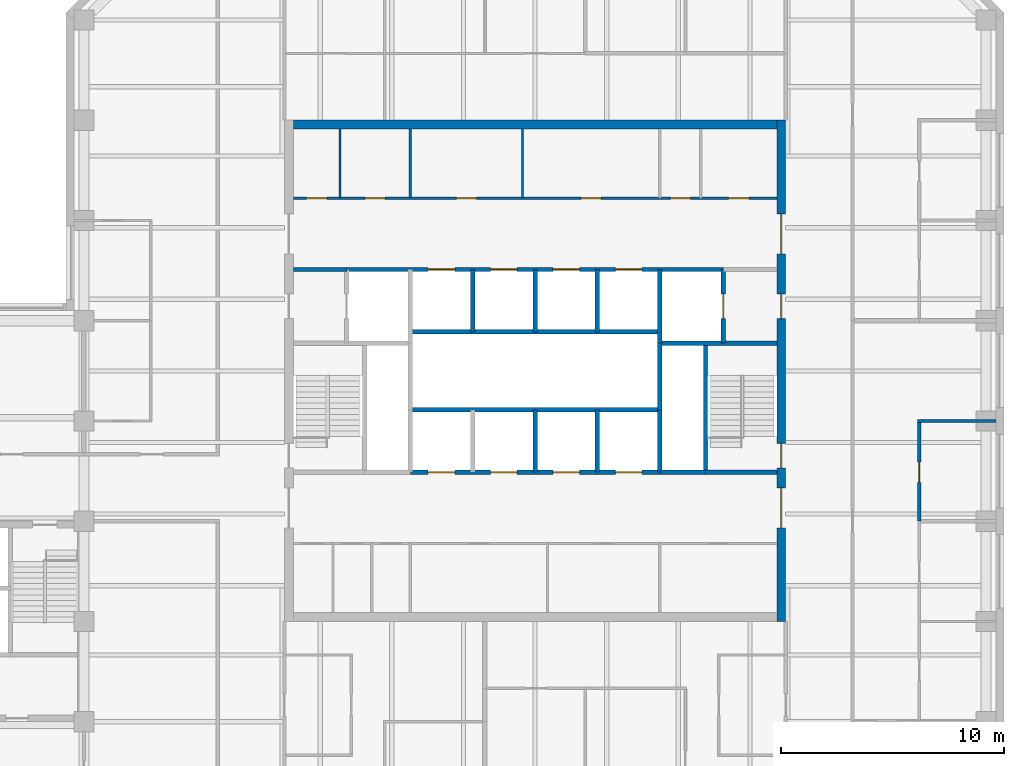
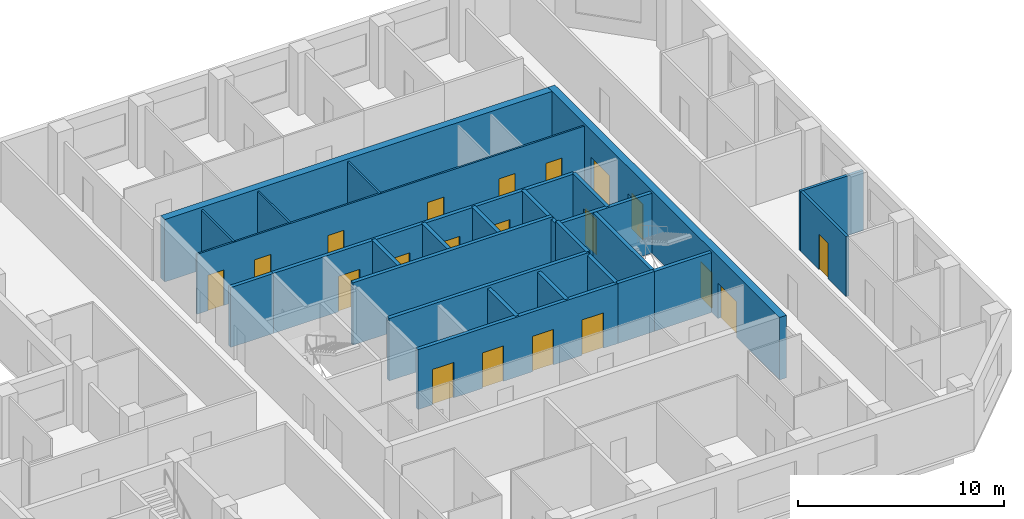
# One storey, part 6 of 9: 26 walls, 20 doors, 20 openings.
"""IFC4 building model written with IfcOpenShell, lengths in metres."""

from ifc_helpers import new_model, si_unit, direction, frame, frame_2d, origin, place, context, subcontext, project, spatial, rectangle, extrude, material, layer, layer_set, type_object, element, fill, save


model = new_model("IFC4")

# Units and contexts
model_context = context("Model", 3, precision=1e-05, world=origin(), true_north=direction((0.0, 1.0)))
body_context = subcontext(model_context, "Body", "Model", "MODEL_VIEW")
ifc_project = project(units=[si_unit("LENGTHUNIT", "METRE"), si_unit("AREAUNIT", "SQUARE_METRE"), si_unit("VOLUMEUNIT", "CUBIC_METRE"), si_unit("PLANEANGLEUNIT", "RADIAN"), si_unit("MASSUNIT", "GRAM", prefix="KILO")], contexts=[model_context])

# Site, building, storey
site_placement = place(None, origin())
site = spatial("IfcSite", under=ifc_project, at=site_placement, CompositionType="ELEMENT")
building_placement = place(site_placement, origin())
building = spatial("IfcBuilding", under=site, at=building_placement, Name="Quoin Convention Tower", CompositionType="ELEMENT")
storey_placement = place(building_placement, frame((0.0, 0.0, 237.800048828125)))
storey = spatial("IfcBuildingStorey", under=building, at=storey_placement, Name="L62", CompositionType="ELEMENT", Elevation=237.800048828125)

# Wall
ifc_material_1 = material(Name="Plasterboard")
ifc_layer_1 = layer(ifc_material_1, 0.012451171875, Name="Finish")
ifc_material_2 = material(Name="Steel stud framing", Category="steel")
ifc_layer_2 = layer(ifc_material_2, 0.125, Name="Structure")
ifc_layer_3 = layer(ifc_material_1, 0.012451171875, Name="Finish")
ifc_layer_set_1 = layer_set([ifc_layer_1, ifc_layer_2, ifc_layer_3], Name="Steel stud framing")
wall_type_1 = type_object("IfcWallType", Name="Acoustic partition 150", PredefinedType="PARTITIONING", material=ifc_layer_set_1)
wall_1_placement = place(storey_placement, frame((73.425048828125, 58.5, 0.0), z_axis=(0.0, 0.0, 1.0), x_axis=(1.0, 0.0, 0.0)))
element("IfcWall", 1, at=wall_1_placement, inside=storey, type_object=wall_type_1, Name="pw-L62-021", PredefinedType="PARTITIONING", context=body_context, shape_type="SweptSolid", body=[
    extrude(rectangle(XDim=3.52490234375, YDim=0.14990234375, at=frame_2d((1.762451171875, 0.0))), origin(), (0.0, 0.0, 1.0), 3.550048828125),
])

# Wall, opening, door
wall_2_placement = place(storey_placement, frame((73.5, 54.0, 0.0), z_axis=(0.0, 0.0, 1.0), x_axis=(0.0, 1.0, 0.0)))
wall_2 = element("IfcWall", 2, at=wall_2_placement, inside=storey, type_object=wall_type_1, Name="pw-L62-060", PredefinedType="PARTITIONING", context=body_context, shape_type="SweptSolid", body=[
    extrude(rectangle(XDim=4.425048828125, YDim=0.14990234375, at=frame_2d((2.21240234375, 0.0))), origin(), (0.0, 0.0, 1.0), 3.550048828125),
])
opening_1_placement = place(wall_2_placement, frame((1.75, 0.0, 0.0)))
opening_1 = element("IfcOpeningElement", 3, at=opening_1_placement, cuts=wall_2, Name="Opening DOH11-19", PredefinedType="OPENING", context=body_context, shape_type="SweptSolid", body=[
    extrude(rectangle(XDim=0.89990234375, YDim=2.10009765625, at=frame_2d((0.449951171875, 1.050048828125))), frame((0.0, 0.0849609375, 0.0), z_axis=(0.0, -1.0, 0.0), x_axis=(1.0, 0.0, 0.0)), (0.0, 0.0, 1.0), 0.169921875),
])
ifc_material_3 = material(Name="Steel door leaf", Category="steel")
door_type_1 = type_object("IfcDoorType", Name="Office door 900 x 2100", OperationType="SINGLE_SWING_RIGHT", PredefinedType="DOOR", material=ifc_material_3)
door_1_placement = place(opening_1_placement, origin())
door_1 = element("IfcDoor", 4, at=door_1_placement, inside=storey, type_object=door_type_1, Name="dr-L62-28", OperationType="SINGLE_SWING_RIGHT", OverallHeight=2.10009765625, OverallWidth=0.89990234375, PredefinedType="DOOR", context=body_context, shape_type="SweptSolid", body=[
    extrude(rectangle(XDim=0.89990234375, YDim=2.10009765625, at=frame_2d((0.449951171875, 1.050048828125))), frame((0.0, 0.02490234375, 0.0), z_axis=(0.0, -1.0, 0.0), x_axis=(1.0, 0.0, 0.0)), (0.0, 0.0, 1.0), 0.050048828125),
])
fill(opening_1, door_1)

# Wall, openings, doors
ifc_layer_4 = layer(ifc_material_1, 0.012451171875, Name="Finish")
ifc_layer_5 = layer(ifc_material_2, 0.074951171875, Name="Structure")
ifc_layer_6 = layer(ifc_material_1, 0.012451171875, Name="Finish")
ifc_layer_set_2 = layer_set([ifc_layer_4, ifc_layer_5, ifc_layer_6], Name="Steel stud framing")
wall_type_2 = type_object("IfcWallType", Name="Core partition wall", PredefinedType="PARTITIONING", material=ifc_layer_set_2)
wall_3_placement = place(storey_placement, frame((45.39990234375, 68.5, 0.0), z_axis=(0.0, 0.0, 1.0), x_axis=(1.0, 0.0, 0.0)))
wall_3 = element("IfcWall", 5, at=wall_3_placement, inside=storey, type_object=wall_type_2, Name="cr-C1-L62-h19000_400", PredefinedType="PARTITIONING", context=body_context, shape_type="SweptSolid", body=[
    extrude(rectangle(XDim=21.7001953125, YDim=0.10009765625, at=frame_2d((10.85009765625, 0.0))), origin(), (0.0, 0.0, 1.0), 3.550048828125),
])
opening_2_placement = place(wall_3_placement, frame((19.543701171875, 0.0, 0.0)))
opening_2 = element("IfcOpeningElement", 6, at=opening_2_placement, cuts=wall_3, Name="Opening DCV3-14", PredefinedType="OPENING", context=body_context, shape_type="SweptSolid", body=[
    extrude(rectangle(XDim=0.89990234375, YDim=2.10009765625, at=frame_2d((0.449951171875, 1.050048828125))), frame((0.0, 0.06005859375, 0.0), z_axis=(0.0, -1.0, 0.0), x_axis=(1.0, 0.0, 0.0)), (0.0, 0.0, 1.0), 0.1201171875),
])
opening_3_placement = place(wall_3_placement, frame((16.918701171875, 0.0, 0.0)))
opening_3 = element("IfcOpeningElement", 7, at=opening_3_placement, cuts=wall_3, Name="Opening DCV3-13", PredefinedType="OPENING", context=body_context, shape_type="SweptSolid", body=[
    extrude(rectangle(XDim=0.89990234375, YDim=2.10009765625, at=frame_2d((0.449951171875, 1.050048828125))), frame((0.0, 0.06005859375, 0.0), z_axis=(0.0, -1.0, 0.0), x_axis=(1.0, 0.0, 0.0)), (0.0, 0.0, 1.0), 0.1201171875),
])
opening_4_placement = place(wall_3_placement, frame((0.60009765625, 0.0, 0.0)))
opening_4 = element("IfcOpeningElement", 8, at=opening_4_placement, cuts=wall_3, Name="Opening DCV3-05", PredefinedType="OPENING", context=body_context, shape_type="SweptSolid", body=[
    extrude(rectangle(XDim=0.89990234375, YDim=2.10009765625, at=frame_2d((0.449951171875, 1.050048828125))), frame((0.0, 0.06005859375, 0.0), z_axis=(0.0, -1.0, 0.0), x_axis=(1.0, 0.0, 0.0)), (0.0, 0.0, 1.0), 0.1201171875),
])
opening_5_placement = place(wall_3_placement, frame((3.22509765625, 0.0, 0.0)))
opening_5 = element("IfcOpeningElement", 9, at=opening_5_placement, cuts=wall_3, Name="Opening DCV3-06", PredefinedType="OPENING", context=body_context, shape_type="SweptSolid", body=[
    extrude(rectangle(XDim=0.89990234375, YDim=2.10009765625, at=frame_2d((0.449951171875, 1.050048828125))), frame((0.0, 0.06005859375, 0.0), z_axis=(0.0, -1.0, 0.0), x_axis=(1.0, 0.0, 0.0)), (0.0, 0.0, 1.0), 0.1201171875),
])
opening_6_placement = place(wall_3_placement, frame((12.919921875, 0.0, 0.0)))
opening_6 = element("IfcOpeningElement", 10, at=opening_6_placement, cuts=wall_3, Name="Opening DCV3-11", PredefinedType="OPENING", context=body_context, shape_type="SweptSolid", body=[
    extrude(rectangle(XDim=0.89990234375, YDim=2.10009765625, at=frame_2d((0.449951171875, 1.050048828125))), frame((0.0, 0.06005859375, 0.0), z_axis=(0.0, -1.0, 0.0), x_axis=(1.0, 0.0, 0.0)), (0.0, 0.0, 1.0), 0.1201171875),
])
opening_7_placement = place(wall_3_placement, frame((7.320068359375, 0.0, 0.0)))
opening_7 = element("IfcOpeningElement", 11, at=opening_7_placement, cuts=wall_3, Name="Opening DCV3-08", PredefinedType="OPENING", context=body_context, shape_type="SweptSolid", body=[
    extrude(rectangle(XDim=0.89990234375, YDim=2.10009765625, at=frame_2d((0.449951171875, 1.050048828125))), frame((0.0, 0.06005859375, 0.0), z_axis=(0.0, -1.0, 0.0), x_axis=(1.0, 0.0, 0.0)), (0.0, 0.0, 1.0), 0.1201171875),
])
door_type_2 = type_object("IfcDoorType", Name="Core room door 900 x 2100", OperationType="SINGLE_SWING_LEFT", PredefinedType="DOOR", material=ifc_material_3)
door_2_placement = place(opening_2_placement, origin())
door_2 = element("IfcDoor", 12, at=door_2_placement, inside=storey, type_object=door_type_2, Name="cd-C1-L62-CNE0-lobB-CD6207", OperationType="SINGLE_SWING_LEFT", OverallHeight=2.10009765625, OverallWidth=0.89990234375, PredefinedType="DOOR", context=body_context, shape_type="SweptSolid", body=[
    extrude(rectangle(XDim=0.89990234375, YDim=2.10009765625, at=frame_2d((0.449951171875, 1.050048828125))), frame((0.0, 0.02490234375, 0.0), z_axis=(0.0, -1.0, 0.0), x_axis=(1.0, 0.0, 0.0)), (0.0, 0.0, 1.0), 0.050048828125),
])
fill(opening_2, door_2)
door_3_placement = place(opening_3_placement, origin())
door_3 = element("IfcDoor", 13, at=door_3_placement, inside=storey, type_object=door_type_2, Name="cd-C1-L62-CNE1-lobB-CD6208", OperationType="SINGLE_SWING_RIGHT", OverallHeight=2.10009765625, OverallWidth=0.89990234375, PredefinedType="DOOR", context=body_context, shape_type="SweptSolid", body=[
    extrude(rectangle(XDim=0.89990234375, YDim=2.10009765625, at=frame_2d((0.449951171875, 1.050048828125))), frame((0.0, 0.02490234375, 0.0), z_axis=(0.0, -1.0, 0.0), x_axis=(1.0, 0.0, 0.0)), (0.0, 0.0, 1.0), 0.050048828125),
])
fill(opening_3, door_3)
door_4_placement = place(opening_4_placement, origin())
door_4 = element("IfcDoor", 14, at=door_4_placement, inside=storey, type_object=door_type_2, Name="cd-C1-L62-CNW0-lobB-CD6209", OperationType="SINGLE_SWING_RIGHT", OverallHeight=2.10009765625, OverallWidth=0.89990234375, PredefinedType="DOOR", context=body_context, shape_type="SweptSolid", body=[
    extrude(rectangle(XDim=0.89990234375, YDim=2.10009765625, at=frame_2d((0.449951171875, 1.050048828125))), frame((0.0, 0.02490234375, 0.0), z_axis=(0.0, -1.0, 0.0), x_axis=(1.0, 0.0, 0.0)), (0.0, 0.0, 1.0), 0.050048828125),
])
fill(opening_4, door_4)
door_5_placement = place(opening_5_placement, origin())
door_5 = element("IfcDoor", 15, at=door_5_placement, inside=storey, type_object=door_type_2, Name="cd-C1-L62-CNW1-lobB-CD6210", OperationType="SINGLE_SWING_RIGHT", OverallHeight=2.10009765625, OverallWidth=0.89990234375, PredefinedType="DOOR", context=body_context, shape_type="SweptSolid", body=[
    extrude(rectangle(XDim=0.89990234375, YDim=2.10009765625, at=frame_2d((0.449951171875, 1.050048828125))), frame((0.0, 0.02490234375, 0.0), z_axis=(0.0, -1.0, 0.0), x_axis=(1.0, 0.0, 0.0)), (0.0, 0.0, 1.0), 0.050048828125),
])
fill(opening_5, door_5)
door_6_placement = place(opening_6_placement, origin())
door_6 = element("IfcDoor", 16, at=door_6_placement, inside=storey, type_object=door_type_2, Name="cd-C1-L62-F40-lobB-CD6217", OperationType="SINGLE_SWING_RIGHT", OverallHeight=2.10009765625, OverallWidth=0.89990234375, PredefinedType="DOOR", context=body_context, shape_type="SweptSolid", body=[
    extrude(rectangle(XDim=0.89990234375, YDim=2.10009765625, at=frame_2d((0.449951171875, 1.050048828125))), frame((0.0, 0.02490234375, 0.0), z_axis=(0.0, -1.0, 0.0), x_axis=(1.0, 0.0, 0.0)), (0.0, 0.0, 1.0), 0.050048828125),
])
fill(opening_6, door_6)
door_7_placement = place(opening_7_placement, origin())
door_7 = element("IfcDoor", 17, at=door_7_placement, inside=storey, type_object=door_type_2, Name="cd-C1-L62-F41-lobB-CD6218", OperationType="SINGLE_SWING_RIGHT", OverallHeight=2.10009765625, OverallWidth=0.89990234375, PredefinedType="DOOR", context=body_context, shape_type="SweptSolid", body=[
    extrude(rectangle(XDim=0.89990234375, YDim=2.10009765625, at=frame_2d((0.449951171875, 1.050048828125))), frame((0.0, 0.02490234375, 0.0), z_axis=(0.0, -1.0, 0.0), x_axis=(1.0, 0.0, 0.0)), (0.0, 0.0, 1.0), 0.050048828125),
])
fill(opening_7, door_7)

# Walls
for number, where, z_axis, x_axis, name in (
    (18, (47.5, 68.5, 0.0), (0.0, 0.0, 1.0), (0.0, 1.0, 0.0), "cr-C1-L62-v2500_19000"),
    (19, (50.64990234375, 68.5, 0.0), (0.0, 0.0, 1.0), (0.0, 1.0, 0.0), "cr-C1-L62-v5650_19000"),
    (20, (55.68994140625, 68.5, 0.0), (0.0, 0.0, 1.0), (0.0, 1.0, 0.0), "cr-C1-L62-v10690_19000"),
):
    element("IfcWall", number, at=place(storey_placement, frame(where, z_axis=z_axis, x_axis=x_axis)), inside=storey, type_object=wall_type_2, Name=name, PredefinedType="PARTITIONING", context=body_context, shape_type="SweptSolid", body=[
        extrude(rectangle(XDim=3.10009765625, YDim=0.10009765625, at=frame_2d((1.550048828125, 0.0))), origin(), (0.0, 0.0, 1.0), 3.550048828125),
    ])
ifc_material_4 = material(Name="Concrete C50", Category="concrete")
ifc_layer_7 = layer(ifc_material_4, 0.199951171875)
ifc_layer_set_3 = layer_set([ifc_layer_7], Name="Concrete C50")
wall_type_3 = type_object("IfcWallType", Name="Core shaft wall", PredefinedType="SOLIDWALL", material=ifc_layer_set_3)
wall_4_placement = place(storey_placement, frame((61.85009765625, 56.199951171875, 0.0), z_axis=(0.0, 0.0, 1.0), x_axis=(1.0, 0.0, 0.0)))
element("IfcWall", 21, at=wall_4_placement, inside=storey, type_object=wall_type_3, Name="cr-C1-L62-h6700_16850", PredefinedType="SOLIDWALL", context=body_context, shape_type="SweptSolid", body=[
    extrude(rectangle(XDim=2.0498046875, YDim=0.199951171875, at=frame_2d((1.02490234375, 0.0))), origin(), (0.0, 0.0, 1.0), 3.550048828125),
])

# Wall, openings, doors
wall_5_placement = place(storey_placement, frame((50.64990234375, 56.199951171875, 0.0), z_axis=(0.0, 0.0, 1.0), x_axis=(1.0, 0.0, 0.0)))
wall_5 = element("IfcWall", 22, at=wall_5_placement, inside=storey, type_object=wall_type_3, Name="cr-C1-L62-h6700_5650", PredefinedType="SOLIDWALL", context=body_context, shape_type="SweptSolid", body=[
    extrude(rectangle(XDim=11.2001953125, YDim=0.199951171875, at=frame_2d((5.60009765625, 0.0))), origin(), (0.0, 0.0, 1.0), 3.550048828125),
])
opening_8_placement = place(wall_5_placement, frame((0.800048828125, 0.0, 0.0)))
opening_8 = element("IfcOpeningElement", 23, at=opening_8_placement, cuts=wall_5, Name="Opening LDH1", PredefinedType="OPENING", context=body_context, shape_type="SweptSolid", body=[
    extrude(rectangle(XDim=1.199951171875, YDim=2.10009765625, at=frame_2d((0.60009765625, 1.050048828125))), frame((0.0, 0.10986328125, 0.0), z_axis=(0.0, -1.0, 0.0), x_axis=(1.0, 0.0, 0.0)), (0.0, 0.0, 1.0), 0.219970703125),
])
opening_9_placement = place(wall_5_placement, frame((3.60009765625, 0.0, 0.0)))
opening_9 = element("IfcOpeningElement", 24, at=opening_9_placement, cuts=wall_5, Name="Opening LDH2", PredefinedType="OPENING", context=body_context, shape_type="SweptSolid", body=[
    extrude(rectangle(XDim=1.199951171875, YDim=2.10009765625, at=frame_2d((0.60009765625, 1.050048828125))), frame((0.0, 0.10986328125, 0.0), z_axis=(0.0, -1.0, 0.0), x_axis=(1.0, 0.0, 0.0)), (0.0, 0.0, 1.0), 0.219970703125),
])
opening_10_placement = place(wall_5_placement, frame((6.39990234375, 0.0, 0.0)))
opening_10 = element("IfcOpeningElement", 25, at=opening_10_placement, cuts=wall_5, Name="Opening LDH3", PredefinedType="OPENING", context=body_context, shape_type="SweptSolid", body=[
    extrude(rectangle(XDim=1.199951171875, YDim=2.10009765625, at=frame_2d((0.60009765625, 1.050048828125))), frame((0.0, 0.10986328125, 0.0), z_axis=(0.0, -1.0, 0.0), x_axis=(1.0, 0.0, 0.0)), (0.0, 0.0, 1.0), 0.219970703125),
])
opening_11_placement = place(wall_5_placement, frame((9.199951171875, 0.0, 0.0)))
opening_11 = element("IfcOpeningElement", 26, at=opening_11_placement, cuts=wall_5, Name="Opening LDH4", PredefinedType="OPENING", context=body_context, shape_type="SweptSolid", body=[
    extrude(rectangle(XDim=1.199951171875, YDim=2.10009765625, at=frame_2d((0.60009765625, 1.050048828125))), frame((0.0, 0.10986328125, 0.0), z_axis=(0.0, -1.0, 0.0), x_axis=(1.0, 0.0, 0.0)), (0.0, 0.0, 1.0), 0.219970703125),
])
door_type_3 = type_object("IfcDoorType", Name="Lift landing door 1200 x 2100", OperationType="DOUBLE_DOOR_SLIDING", PredefinedType="DOOR", material=ifc_material_3)
door_8_placement = place(opening_8_placement, origin())
door_8 = element("IfcDoor", 27, at=door_8_placement, inside=storey, type_object=door_type_3, Name="cd-C1-L62-R20-lobA-LDH1", OperationType="DOUBLE_DOOR_SLIDING", OverallHeight=2.10009765625, OverallWidth=1.199951171875, PredefinedType="DOOR", context=body_context, shape_type="SweptSolid", body=[
    extrude(rectangle(XDim=1.199951171875, YDim=2.10009765625, at=frame_2d((0.60009765625, 1.050048828125))), frame((0.0, 0.02490234375, 0.0), z_axis=(0.0, -1.0, 0.0), x_axis=(1.0, 0.0, 0.0)), (0.0, 0.0, 1.0), 0.050048828125),
])
fill(opening_8, door_8)
door_9_placement = place(opening_9_placement, origin())
door_9 = element("IfcDoor", 28, at=door_9_placement, inside=storey, type_object=door_type_3, Name="cd-C1-L62-R21-lobA-LDH2", OperationType="DOUBLE_DOOR_SLIDING", OverallHeight=2.10009765625, OverallWidth=1.199951171875, PredefinedType="DOOR", context=body_context, shape_type="SweptSolid", body=[
    extrude(rectangle(XDim=1.199951171875, YDim=2.10009765625, at=frame_2d((0.60009765625, 1.050048828125))), frame((0.0, 0.02490234375, 0.0), z_axis=(0.0, -1.0, 0.0), x_axis=(1.0, 0.0, 0.0)), (0.0, 0.0, 1.0), 0.050048828125),
])
fill(opening_9, door_9)
door_10_placement = place(opening_10_placement, origin())
door_10 = element("IfcDoor", 29, at=door_10_placement, inside=storey, type_object=door_type_3, Name="cd-C1-L62-R22-lobA-LDH3", OperationType="DOUBLE_DOOR_SLIDING", OverallHeight=2.10009765625, OverallWidth=1.199951171875, PredefinedType="DOOR", context=body_context, shape_type="SweptSolid", body=[
    extrude(rectangle(XDim=1.199951171875, YDim=2.10009765625, at=frame_2d((0.60009765625, 1.050048828125))), frame((0.0, 0.02490234375, 0.0), z_axis=(0.0, -1.0, 0.0), x_axis=(1.0, 0.0, 0.0)), (0.0, 0.0, 1.0), 0.050048828125),
])
fill(opening_10, door_10)
door_11_placement = place(opening_11_placement, origin())
door_11 = element("IfcDoor", 30, at=door_11_placement, inside=storey, type_object=door_type_3, Name="cd-C1-L62-R23-lobA-LDH4", OperationType="DOUBLE_DOOR_SLIDING", OverallHeight=2.10009765625, OverallWidth=1.199951171875, PredefinedType="DOOR", context=body_context, shape_type="SweptSolid", body=[
    extrude(rectangle(XDim=1.199951171875, YDim=2.10009765625, at=frame_2d((0.60009765625, 1.050048828125))), frame((0.0, 0.02490234375, 0.0), z_axis=(0.0, -1.0, 0.0), x_axis=(1.0, 0.0, 0.0)), (0.0, 0.0, 1.0), 0.050048828125),
])
fill(opening_11, door_11)

# Walls
wall_6_placement = place(storey_placement, frame((63.89990234375, 56.199951171875, 0.0), z_axis=(0.0, 0.0, 1.0), x_axis=(1.0, 0.0, 0.0)))
element("IfcWall", 31, at=wall_6_placement, inside=storey, type_object=wall_type_3, Name="cr-C1-L62-h6700_18900", PredefinedType="SOLIDWALL", context=body_context, shape_type="SweptSolid", body=[
    extrude(rectangle(XDim=3.2001953125, YDim=0.199951171875, at=frame_2d((1.60009765625, 0.0))), origin(), (0.0, 0.0, 1.0), 3.550048828125),
])
wall_7_placement = place(storey_placement, frame((61.85009765625, 62.0, 0.0), z_axis=(0.0, 0.0, 1.0), x_axis=(1.0, 0.0, 0.0)))
element("IfcWall", 32, at=wall_7_placement, inside=storey, type_object=wall_type_3, Name="cr-C1-L62-h12500_16850", PredefinedType="SOLIDWALL", context=body_context, shape_type="SweptSolid", body=[
    extrude(rectangle(XDim=5.25, YDim=0.199951171875, at=frame_2d((2.625, 0.0))), origin(), (0.0, 0.0, 1.0), 3.550048828125),
])
wall_8_placement = place(storey_placement, frame((45.39990234375, 65.300048828125, 0.0), z_axis=(0.0, 0.0, 1.0), x_axis=(1.0, 0.0, 0.0)))
element("IfcWall", 33, at=wall_8_placement, inside=storey, type_object=wall_type_3, Name="cr-C1-L62-h15800_400", PredefinedType="SOLIDWALL", context=body_context, shape_type="SweptSolid", body=[
    extrude(rectangle(XDim=2.400146484375, YDim=0.199951171875, at=frame_2d((1.2001953125, 0.0))), origin(), (0.0, 0.0, 1.0), 3.550048828125),
])

# Wall, openings, doors
wall_9_placement = place(storey_placement, frame((47.800048828125, 65.300048828125, 0.0), z_axis=(0.0, 0.0, 1.0), x_axis=(1.0, 0.0, 0.0)))
wall_9 = element("IfcWall", 34, at=wall_9_placement, inside=storey, type_object=wall_type_3, Name="cr-C1-L62-h15800_2800", PredefinedType="SOLIDWALL", context=body_context, shape_type="SweptSolid", body=[
    extrude(rectangle(XDim=16.89990234375, YDim=0.199951171875, at=frame_2d((8.449951171875, 0.0))), origin(), (0.0, 0.0, 1.0), 3.550048828125),
])
opening_12_placement = place(wall_9_placement, frame((3.64990234375, 0.0, 0.0)))
opening_12 = element("IfcOpeningElement", 35, at=opening_12_placement, cuts=wall_9, Name="Opening LDH5", PredefinedType="OPENING", context=body_context, shape_type="SweptSolid", body=[
    extrude(rectangle(XDim=1.199951171875, YDim=2.10009765625, at=frame_2d((0.60009765625, 1.050048828125))), frame((0.0, 0.10986328125, 0.0), z_axis=(0.0, -1.0, 0.0), x_axis=(1.0, 0.0, 0.0)), (0.0, 0.0, 1.0), 0.219970703125),
])
opening_13_placement = place(wall_9_placement, frame((6.449951171875, 0.0, 0.0)))
opening_13 = element("IfcOpeningElement", 36, at=opening_13_placement, cuts=wall_9, Name="Opening LDH6", PredefinedType="OPENING", context=body_context, shape_type="SweptSolid", body=[
    extrude(rectangle(XDim=1.199951171875, YDim=2.10009765625, at=frame_2d((0.60009765625, 1.050048828125))), frame((0.0, 0.10986328125, 0.0), z_axis=(0.0, -1.0, 0.0), x_axis=(1.0, 0.0, 0.0)), (0.0, 0.0, 1.0), 0.219970703125),
])
opening_14_placement = place(wall_9_placement, frame((9.25, 0.0, 0.0)))
opening_14 = element("IfcOpeningElement", 37, at=opening_14_placement, cuts=wall_9, Name="Opening LDH7", PredefinedType="OPENING", context=body_context, shape_type="SweptSolid", body=[
    extrude(rectangle(XDim=1.199951171875, YDim=2.10009765625, at=frame_2d((0.60009765625, 1.050048828125))), frame((0.0, 0.10986328125, 0.0), z_axis=(0.0, -1.0, 0.0), x_axis=(1.0, 0.0, 0.0)), (0.0, 0.0, 1.0), 0.219970703125),
])
opening_15_placement = place(wall_9_placement, frame((12.050048828125, 0.0, 0.0)))
opening_15 = element("IfcOpeningElement", 38, at=opening_15_placement, cuts=wall_9, Name="Opening LDH8", PredefinedType="OPENING", context=body_context, shape_type="SweptSolid", body=[
    extrude(rectangle(XDim=1.199951171875, YDim=2.10009765625, at=frame_2d((0.60009765625, 1.050048828125))), frame((0.0, 0.10986328125, 0.0), z_axis=(0.0, -1.0, 0.0), x_axis=(1.0, 0.0, 0.0)), (0.0, 0.0, 1.0), 0.219970703125),
])
door_12_placement = place(opening_12_placement, origin())
door_12 = element("IfcDoor", 39, at=door_12_placement, inside=storey, type_object=door_type_3, Name="cd-C1-L62-R30-lobB-LDH5", OperationType="DOUBLE_DOOR_SLIDING", OverallHeight=2.10009765625, OverallWidth=1.199951171875, PredefinedType="DOOR", context=body_context, shape_type="SweptSolid", body=[
    extrude(rectangle(XDim=1.199951171875, YDim=2.10009765625, at=frame_2d((0.60009765625, 1.050048828125))), frame((0.0, 0.02490234375, 0.0), z_axis=(0.0, -1.0, 0.0), x_axis=(1.0, 0.0, 0.0)), (0.0, 0.0, 1.0), 0.050048828125),
])
fill(opening_12, door_12)
door_13_placement = place(opening_13_placement, origin())
door_13 = element("IfcDoor", 40, at=door_13_placement, inside=storey, type_object=door_type_3, Name="cd-C1-L62-R31-lobB-LDH6", OperationType="DOUBLE_DOOR_SLIDING", OverallHeight=2.10009765625, OverallWidth=1.199951171875, PredefinedType="DOOR", context=body_context, shape_type="SweptSolid", body=[
    extrude(rectangle(XDim=1.199951171875, YDim=2.10009765625, at=frame_2d((0.60009765625, 1.050048828125))), frame((0.0, 0.02490234375, 0.0), z_axis=(0.0, -1.0, 0.0), x_axis=(1.0, 0.0, 0.0)), (0.0, 0.0, 1.0), 0.050048828125),
])
fill(opening_13, door_13)
door_14_placement = place(opening_14_placement, origin())
door_14 = element("IfcDoor", 41, at=door_14_placement, inside=storey, type_object=door_type_3, Name="cd-C1-L62-R32-lobB-LDH7", OperationType="DOUBLE_DOOR_SLIDING", OverallHeight=2.10009765625, OverallWidth=1.199951171875, PredefinedType="DOOR", context=body_context, shape_type="SweptSolid", body=[
    extrude(rectangle(XDim=1.199951171875, YDim=2.10009765625, at=frame_2d((0.60009765625, 1.050048828125))), frame((0.0, 0.02490234375, 0.0), z_axis=(0.0, -1.0, 0.0), x_axis=(1.0, 0.0, 0.0)), (0.0, 0.0, 1.0), 0.050048828125),
])
fill(opening_14, door_14)
door_15_placement = place(opening_15_placement, origin())
door_15 = element("IfcDoor", 42, at=door_15_placement, inside=storey, type_object=door_type_3, Name="cd-C1-L62-R33-lobB-LDH8", OperationType="DOUBLE_DOOR_SLIDING", OverallHeight=2.10009765625, OverallWidth=1.199951171875, PredefinedType="DOOR", context=body_context, shape_type="SweptSolid", body=[
    extrude(rectangle(XDim=1.199951171875, YDim=2.10009765625, at=frame_2d((0.60009765625, 1.050048828125))), frame((0.0, 0.02490234375, 0.0), z_axis=(0.0, -1.0, 0.0), x_axis=(1.0, 0.0, 0.0)), (0.0, 0.0, 1.0), 0.050048828125),
])
fill(opening_15, door_15)

# Walls
for number, where, z_axis, x_axis, name in (
    (43, (53.449951171875, 62.5, 0.0), (0.0, 0.0, 1.0), (0.0, 1.0, 0.0), "cr-C1-L62-v8450_13000"),
    (44, (56.25, 56.199951171875, 0.0), (0.0, 0.0, 1.0), (0.0, 1.0, 0.0), "cr-C1-L62-v11250_6700"),
    (45, (56.25, 62.5, 0.0), (0.0, 0.0, 1.0), (0.0, 1.0, 0.0), "cr-C1-L62-v11250_13000"),
    (46, (59.050048828125, 56.199951171875, 0.0), (0.0, 0.0, 1.0), (0.0, 1.0, 0.0), "cr-C1-L62-v14050_6700"),
    (47, (59.050048828125, 62.5, 0.0), (0.0, 0.0, 1.0), (0.0, 1.0, 0.0), "cr-C1-L62-v14050_13000"),
    (48, (61.85009765625, 56.199951171875, 0.0), (0.0, 0.0, 1.0), (0.0, 1.0, 0.0), "cr-C1-L62-v16850_6700"),
):
    element("IfcWall", number, at=place(storey_placement, frame(where, z_axis=z_axis, x_axis=x_axis)), inside=storey, type_object=wall_type_3, Name=name, PredefinedType="SOLIDWALL", context=body_context, shape_type="SweptSolid", body=[
        extrude(rectangle(XDim=2.800048828125, YDim=0.199951171875, at=frame_2d((1.39990234375, 0.0))), origin(), (0.0, 0.0, 1.0), 3.550048828125),
    ])
wall_10_placement = place(storey_placement, frame((61.85009765625, 62.0, 0.0), z_axis=(0.0, 0.0, 1.0), x_axis=(0.0, 1.0, 0.0)))
element("IfcWall", 49, at=wall_10_placement, inside=storey, type_object=wall_type_3, Name="cr-C1-L62-v16850_12500", PredefinedType="SOLIDWALL", context=body_context, shape_type="SweptSolid", body=[
    extrude(rectangle(XDim=3.300048828125, YDim=0.199951171875, at=frame_2d((1.64990234375, 0.0))), origin(), (0.0, 0.0, 1.0), 3.550048828125),
])
wall_11_placement = place(storey_placement, frame((63.89990234375, 56.199951171875, 0.0), z_axis=(0.0, 0.0, 1.0), x_axis=(0.0, 1.0, 0.0)))
element("IfcWall", 50, at=wall_11_placement, inside=storey, type_object=wall_type_3, Name="cr-C1-L62-v18900_6700", PredefinedType="SOLIDWALL", context=body_context, shape_type="SweptSolid", body=[
    extrude(rectangle(XDim=5.800048828125, YDim=0.199951171875, at=frame_2d((2.89990234375, 0.0))), origin(), (0.0, 0.0, 1.0), 3.550048828125),
])

# Wall, opening, door
wall_12_placement = place(storey_placement, frame((64.699951171875, 62.0, 0.0), z_axis=(0.0, 0.0, 1.0), x_axis=(0.0, 1.0, 0.0)))
wall_12 = element("IfcWall", 51, at=wall_12_placement, inside=storey, type_object=wall_type_3, Name="cr-C1-L62-v19700_12500", PredefinedType="SOLIDWALL", context=body_context, shape_type="SweptSolid", body=[
    extrude(rectangle(XDim=3.300048828125, YDim=0.199951171875, at=frame_2d((1.64990234375, 0.0))), origin(), (0.0, 0.0, 1.0), 3.550048828125),
])
opening_16_placement = place(wall_12_placement, frame((1.10009765625, 0.0, 0.0)))
opening_16 = element("IfcOpeningElement", 52, at=opening_16_placement, cuts=wall_12, Name="Opening LDFL2", PredefinedType="OPENING", context=body_context, shape_type="SweptSolid", body=[
    extrude(rectangle(XDim=1.10009765625, YDim=2.10009765625, at=frame_2d((0.550048828125, 1.050048828125))), frame((0.0, 0.10986328125, 0.0), z_axis=(0.0, -1.0, 0.0), x_axis=(1.0, 0.0, 0.0)), (0.0, 0.0, 1.0), 0.219970703125),
])
door_type_4 = type_object("IfcDoorType", Name="Lift landing door 1100 x 2100", OperationType="DOUBLE_DOOR_SLIDING", PredefinedType="DOOR", material=ifc_material_3)
door_16_placement = place(opening_16_placement, origin())
door_16 = element("IfcDoor", 53, at=door_16_placement, inside=storey, type_object=door_type_4, Name="cd-C1-L62-FLE-FFE-LDFL2", OperationType="DOUBLE_DOOR_SLIDING", OverallHeight=2.10009765625, OverallWidth=1.10009765625, PredefinedType="DOOR", context=body_context, shape_type="SweptSolid", body=[
    extrude(rectangle(XDim=1.10009765625, YDim=2.10009765625, at=frame_2d((0.550048828125, 1.050048828125))), frame((0.0, 0.02490234375, 0.0), z_axis=(0.0, -1.0, 0.0), x_axis=(1.0, 0.0, 0.0)), (0.0, 0.0, 1.0), 0.050048828125),
])
fill(opening_16, door_16)

# Walls
ifc_layer_8 = layer(ifc_material_4, 0.199951171875)
ifc_layer_set_4 = layer_set([ifc_layer_8], Name="Concrete C50")
wall_type_4 = type_object("IfcWallType", Name="Core shaft wall to the floor level over", PredefinedType="SOLIDWALL", material=ifc_layer_set_4)
for number, where, z_axis, x_axis, name in (
    (54, (50.64990234375, 59.0, 0.0), (0.0, 0.0, 1.0), (1.0, 0.0, 0.0), "cr-C1-L62-h9500_5650"),
    (55, (50.64990234375, 62.5, 0.0), (0.0, 0.0, 1.0), (1.0, 0.0, 0.0), "cr-C1-L62-h13000_5650"),
):
    element("IfcWall", number, at=place(storey_placement, frame(where, z_axis=z_axis, x_axis=x_axis)), inside=storey, type_object=wall_type_4, Name=name, PredefinedType="SOLIDWALL", context=body_context, shape_type="SweptSolid", body=[
        extrude(rectangle(XDim=11.2001953125, YDim=0.199951171875, at=frame_2d((5.60009765625, 0.0))), origin(), (0.0, 0.0, 1.0), 3.699951171875),
    ])
wall_13_placement = place(storey_placement, frame((61.85009765625, 59.0, 0.0), z_axis=(0.0, 0.0, 1.0), x_axis=(0.0, 1.0, 0.0)))
element("IfcWall", 56, at=wall_13_placement, inside=storey, type_object=wall_type_4, Name="cr-C1-L62-v16850_9500", PredefinedType="SOLIDWALL", context=body_context, shape_type="SweptSolid", body=[
    extrude(rectangle(XDim=3.0, YDim=0.199951171875, at=frame_2d((1.5, 0.0))), origin(), (0.0, 0.0, 1.0), 3.699951171875),
])
ifc_layer_9 = layer(ifc_material_4, 0.39990234375)
ifc_layer_set_5 = layer_set([ifc_layer_9], Name="Concrete C50")
wall_type_5 = type_object("IfcWallType", Name="RC CORE WALL 400 C50", PredefinedType="SHEAR", material=ifc_layer_set_5)
wall_14_placement = place(storey_placement, frame((45.39990234375, 71.800048828125, 0.0), z_axis=(0.0, 0.0, 1.0), x_axis=(1.0, 0.0, 0.0)))
element("IfcWall", 57, at=wall_14_placement, inside=storey, type_object=wall_type_5, Name="cwl-C1-L62-N", PredefinedType="SHEAR", context=body_context, shape_type="SweptSolid", body=[
    extrude(rectangle(XDim=21.7001953125, YDim=0.39990234375, at=frame_2d((10.85009765625, 0.0))), origin(), (0.0, 0.0, 1.0), 3.699951171875),
])

# Wall, openings, doors
wall_15_placement = place(storey_placement, frame((67.300048828125, 49.5, 0.0), z_axis=(0.0, 0.0, 1.0), x_axis=(0.0, 1.0, 0.0)))
wall_15 = element("IfcWall", 58, at=wall_15_placement, inside=storey, type_object=wall_type_5, Name="cwl-C1-L62-E", PredefinedType="SHEAR", context=body_context, shape_type="SweptSolid", body=[
    extrude(rectangle(XDim=22.5, YDim=0.39990234375, at=frame_2d((11.25, 0.0))), origin(), (0.0, 0.0, 1.0), 3.699951171875),
])
opening_17_placement = place(wall_15_placement, frame((4.199951171875, 0.0, 0.0)))
opening_17 = element("IfcOpeningElement", 59, at=opening_17_placement, cuts=wall_15, Name="Opening DCV3-38", PredefinedType="OPENING", context=body_context, shape_type="SweptSolid", body=[
    extrude(rectangle(XDim=1.800048828125, YDim=2.10009765625, at=frame_2d((0.89990234375, 1.050048828125))), frame((0.0, 0.2099609375, 0.0), z_axis=(0.0, -1.0, 0.0), x_axis=(1.0, 0.0, 0.0)), (0.0, 0.0, 1.0), 0.419921875),
])
opening_18_placement = place(wall_15_placement, frame((6.89990234375, 0.0, 0.0)))
opening_18 = element("IfcOpeningElement", 60, at=opening_18_placement, cuts=wall_15, Name="Opening SD2", PredefinedType="OPENING", context=body_context, shape_type="SweptSolid", body=[
    extrude(rectangle(XDim=1.10009765625, YDim=2.10009765625, at=frame_2d((0.550048828125, 1.050048828125))), frame((0.0, 0.2099609375, 0.0), z_axis=(0.0, -1.0, 0.0), x_axis=(1.0, 0.0, 0.0)), (0.0, 0.0, 1.0), 0.419921875),
])
opening_19_placement = place(wall_15_placement, frame((13.60009765625, 0.0, 0.0)))
opening_19 = element("IfcOpeningElement", 61, at=opening_19_placement, cuts=wall_15, Name="Opening DCV3-37", PredefinedType="OPENING", context=body_context, shape_type="SweptSolid", body=[
    extrude(rectangle(XDim=1.10009765625, YDim=2.10009765625, at=frame_2d((0.550048828125, 1.050048828125))), frame((0.0, 0.2099609375, 0.0), z_axis=(0.0, -1.0, 0.0), x_axis=(1.0, 0.0, 0.0)), (0.0, 0.0, 1.0), 0.419921875),
])
opening_20_placement = place(wall_15_placement, frame((16.5, 0.0, 0.0)))
opening_20 = element("IfcOpeningElement", 62, at=opening_20_placement, cuts=wall_15, Name="Opening DCV3-38", PredefinedType="OPENING", context=body_context, shape_type="SweptSolid", body=[
    extrude(rectangle(XDim=1.800048828125, YDim=2.10009765625, at=frame_2d((0.89990234375, 1.050048828125))), frame((0.0, 0.2099609375, 0.0), z_axis=(0.0, -1.0, 0.0), x_axis=(1.0, 0.0, 0.0)), (0.0, 0.0, 1.0), 0.419921875),
])
door_type_5 = type_object("IfcDoorType", Name="Fire-fighting lobby door 1100 x 2100", OperationType="SINGLE_SWING_LEFT", PredefinedType="DOOR", material=ifc_material_3)
door_17_placement = place(opening_19_placement, origin())
door_17 = element("IfcDoor", 63, at=door_17_placement, inside=storey, type_object=door_type_5, Name="cd-C1-L62-FFE-E", OperationType="SINGLE_SWING_RIGHT", OverallHeight=2.10009765625, OverallWidth=1.10009765625, PredefinedType="DOOR", context=body_context, shape_type="SweptSolid", body=[
    extrude(rectangle(XDim=1.10009765625, YDim=2.10009765625, at=frame_2d((0.550048828125, 1.050048828125))), frame((0.0, 0.02490234375, 0.0), z_axis=(0.0, -1.0, 0.0), x_axis=(1.0, 0.0, 0.0)), (0.0, 0.0, 1.0), 0.050048828125),
])
fill(opening_19, door_17)
door_type_6 = type_object("IfcDoorType", Name="Lift lobby door 1800 x 2100", OperationType="SINGLE_SWING_LEFT", PredefinedType="DOOR", material=ifc_material_3)
door_18_placement = place(opening_17_placement, origin())
door_18 = element("IfcDoor", 64, at=door_18_placement, inside=storey, type_object=door_type_6, Name="cd-C1-L62-lobA-E", OperationType="SINGLE_SWING_RIGHT", OverallHeight=2.10009765625, OverallWidth=1.800048828125, PredefinedType="DOOR", context=body_context, shape_type="SweptSolid", body=[
    extrude(rectangle(XDim=1.800048828125, YDim=2.10009765625, at=frame_2d((0.89990234375, 1.050048828125))), frame((0.0, 0.02490234375, 0.0), z_axis=(0.0, -1.0, 0.0), x_axis=(1.0, 0.0, 0.0)), (0.0, 0.0, 1.0), 0.050048828125),
])
fill(opening_17, door_18)
door_19_placement = place(opening_20_placement, origin())
door_19 = element("IfcDoor", 65, at=door_19_placement, inside=storey, type_object=door_type_6, Name="cd-C1-L62-lobB-E", OperationType="SINGLE_SWING_RIGHT", OverallHeight=2.10009765625, OverallWidth=1.800048828125, PredefinedType="DOOR", context=body_context, shape_type="SweptSolid", body=[
    extrude(rectangle(XDim=1.800048828125, YDim=2.10009765625, at=frame_2d((0.89990234375, 1.050048828125))), frame((0.0, 0.02490234375, 0.0), z_axis=(0.0, -1.0, 0.0), x_axis=(1.0, 0.0, 0.0)), (0.0, 0.0, 1.0), 0.050048828125),
])
fill(opening_20, door_19)
door_type_7 = type_object("IfcDoorType", Name="Stair door 1100 x 2100", OperationType="SINGLE_SWING_RIGHT", PredefinedType="DOOR", material=ifc_material_3)
door_20_placement = place(opening_18_placement, origin())
door_20 = element("IfcDoor", 66, at=door_20_placement, inside=storey, type_object=door_type_7, Name="cd-C1-L62-STE-E", OperationType="SINGLE_SWING_LEFT", OverallHeight=2.10009765625, OverallWidth=1.10009765625, PredefinedType="DOOR", context=body_context, shape_type="SweptSolid", body=[
    extrude(rectangle(XDim=1.10009765625, YDim=2.10009765625, at=frame_2d((0.550048828125, 1.050048828125))), frame((0.0, 0.02490234375, 0.0), z_axis=(0.0, -1.0, 0.0), x_axis=(1.0, 0.0, 0.0)), (0.0, 0.0, 1.0), 0.050048828125),
])
fill(opening_18, door_20)

save(model, "model.ifc")
